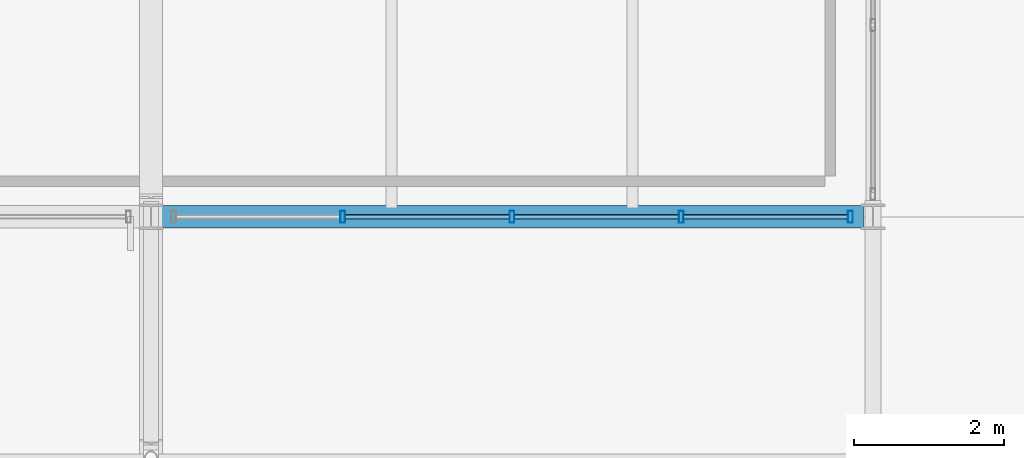
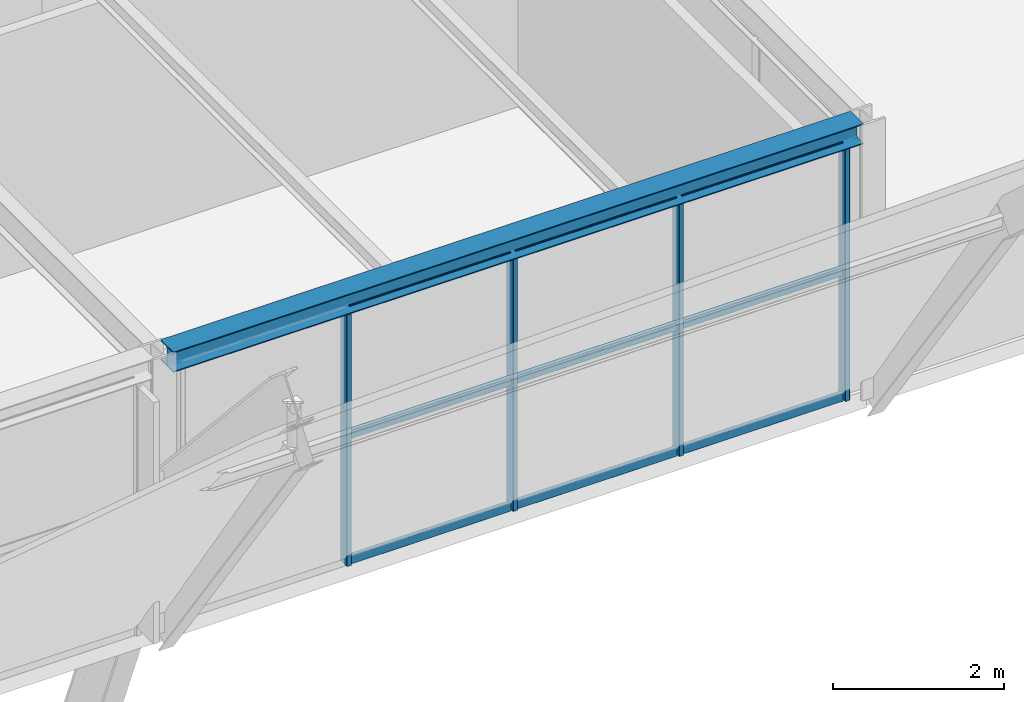
# One storey, part 84 of 126: 13 members, 1 beam, 1 element without a shape of its own.
"""IFC4 building model written with IfcOpenShell, lengths in metres."""

import ifcopenshell
import ifcopenshell.guid

model = None  # the IFC model being written
_history = None  # IfcOwnerHistory: only IFC2X3 demands one
_inside = {}  # id of a spatial element -> (the spatial element, [elements in it])
_under = {}  # id of a project, library or spatial element -> (it, [spatial elements below it])
_declared = {}  # id of a project -> (the project, [libraries it declares])
_typed = {}  # id of a type object -> (the type object, [elements of that type])
_made_of = {}  # id of a material, layer set ... -> (it, [elements and type objects made of it])


def new_model(schema):
    """Start an empty IFC model of exactly this schema.

    Asked for "IFC4X3", IfcOpenShell would pick the latest addendum, in which some entities
    have other attributes; the version numbers below select the first issue.
    IFC2X3 requires an IfcOwnerHistory on every rooted entity: one is made here for all.
    """
    global model, _history
    if schema == "IFC4X3":
        model = ifcopenshell.file(schema_version=(4, 3, 0, 0))
    else:
        model = ifcopenshell.file(schema=schema)
    _inside.clear()
    _under.clear()
    _declared.clear()
    _typed.clear()
    _made_of.clear()
    _history = None
    if model.schema == "IFC2X3":
        org = make("IfcOrganization", Name="unknown")
        user = make(
            "IfcPersonAndOrganization",
            ThePerson=make("IfcPerson", FamilyName="unknown"),
            TheOrganization=org,
        )
        app = make(
            "IfcApplication",
            ApplicationDeveloper=org,
            Version="unknown",
            ApplicationFullName="unknown",
            ApplicationIdentifier="unknown",
        )
        _history = make(
            "IfcOwnerHistory",
            OwningUser=user,
            OwningApplication=app,
            ChangeAction="ADDED",
            CreationDate=0,
        )
    return model


def make(cls, **values):
    """One entity of the class cls with the attributes given. An attribute that is None is left unset."""
    return model.create_entity(
        cls, **{name: value for name, value in values.items() if value is not None}
    )


def rooted(cls, **values):
    """An entity with a GlobalId (a new one), such as an element, a storey or a relation."""
    return make(cls, GlobalId=ifcopenshell.guid.new(), OwnerHistory=_history, **values)


def si_unit(unit_type, name, prefix=None):
    """IfcSIUnit, for example si_unit("LENGTHUNIT", "METRE", prefix="MILLI")."""
    return make("IfcSIUnit", UnitType=unit_type, Prefix=prefix, Name=name)


def assignment(units):
    """IfcUnitAssignment: the units of a project."""
    return None if units is None else make("IfcUnitAssignment", Units=units)


def point(xyz):
    """IfcCartesianPoint."""
    return None if xyz is None else make("IfcCartesianPoint", Coordinates=xyz)


def direction(xyz):
    """IfcDirection."""
    return None if xyz is None else make("IfcDirection", DirectionRatios=xyz)


def frame(location, z_axis=None, x_axis=None):
    """IfcAxis2Placement3D, a coordinate frame: its origin and axes. An axis left out is left unset."""
    return make(
        "IfcAxis2Placement3D",
        Location=point(location),
        Axis=direction(z_axis),
        RefDirection=direction(x_axis),
    )


def frame_2d(location, x_axis=None):
    """IfcAxis2Placement2D, a coordinate frame in the plane: its origin and x axis."""
    return make(
        "IfcAxis2Placement2D", Location=point(location), RefDirection=direction(x_axis)
    )


def origin():
    """The frame at (0, 0, 0) with its axes left unset."""
    return frame((0.0, 0.0, 0.0))


def origin_2d():
    """The frame at (0, 0) in the plane with its x axis left unset."""
    return frame_2d((0.0, 0.0))


def place(relative_to, where):
    """IfcLocalPlacement: puts the frame where relative to a parent placement (None: the world)."""
    return make(
        "IfcLocalPlacement", PlacementRelTo=relative_to, RelativePlacement=where
    )


def context(
    kind, dimensions, precision=None, world=None, true_north=None, identifier=None
):
    """IfcGeometricRepresentationContext, for example the 3D "Model" context."""
    return make(
        "IfcGeometricRepresentationContext",
        ContextIdentifier=identifier,
        ContextType=kind,
        CoordinateSpaceDimension=dimensions,
        Precision=precision,
        WorldCoordinateSystem=world,
        TrueNorth=true_north,
    )


def subcontext(parent, identifier, kind, view, scale=None):
    """IfcGeometricRepresentationSubContext, for example "Body" below "Model"."""
    return make(
        "IfcGeometricRepresentationSubContext",
        ContextIdentifier=identifier,
        ContextType=kind,
        ParentContext=parent,
        TargetScale=scale,
        TargetView=view,
    )


def project(units=None, contexts=None):
    """IfcProject with its units and contexts."""
    return rooted(
        "IfcProject",
        Name="project",
        RepresentationContexts=contexts,
        UnitsInContext=assignment(units),
    )


def spatial(cls, under=None, at=None, **own):
    """A site, building, storey or space (cls), placed at a placement, below another one or the project."""
    s = rooted(cls, ObjectPlacement=at, **own)
    if under is not None:
        _under.setdefault(under.id(), (under, []))[1].append(s)
    return s


def profile(cls, at=None, kind="AREA", **sizes):
    """A parametric profile (cls). Its sizes go by their IFC names, for example OverallWidth=200.0."""
    return make(cls, ProfileType=kind, Position=at, **sizes)


def hollow_rectangle(**sizes):
    """IfcRectangleHollowProfileDef."""
    return profile("IfcRectangleHollowProfileDef", **sizes)


def i_section(**sizes):
    """IfcIShapeProfileDef."""
    return profile("IfcIShapeProfileDef", **sizes)


def extrude(swept, where, along, depth):
    """IfcExtrudedAreaSolid: the profile swept, set in the frame where, extruded along a direction by depth."""
    return make(
        "IfcExtrudedAreaSolid",
        SweptArea=swept,
        Position=where,
        ExtrudedDirection=direction(along),
        Depth=depth,
    )


def shape(context_of_items, identifier, shape_type, items):
    """IfcShapeRepresentation: the items that make up one representation, for example the "Body"."""
    return make(
        "IfcShapeRepresentation",
        ContextOfItems=context_of_items,
        RepresentationIdentifier=identifier,
        RepresentationType=shape_type,
        Items=items,
    )


def material(Name=None, Category=None):
    """IfcMaterial."""
    return make("IfcMaterial", Name=Name, Category=Category)


def material_profile(
    of_material, cross_section, Name=None, Category=None, Priority=None
):
    """IfcMaterialProfile: a cross section and its material."""
    return make(
        "IfcMaterialProfile",
        Name=Name,
        Material=of_material,
        Profile=cross_section,
        Priority=Priority,
        Category=Category,
    )


def profile_set(profiles, Name=None, composite=None):
    """IfcMaterialProfileSet."""
    return make(
        "IfcMaterialProfileSet",
        Name=Name,
        MaterialProfiles=profiles,
        CompositeProfile=composite,
    )


def made_of(thing, what):
    """Note that an element or type object is made of a material, layer set ...; save() writes the relation."""
    if what is not None:
        _made_of.setdefault(what.id(), (what, []))[1].append(thing)
    return thing


def type_object(cls, material=None, **own):
    """A type object (cls), such as IfcWallType, which elements share."""
    return made_of(rooted(cls, **own), material)


def element(
    cls,
    number,
    at=None,
    inside=None,
    cuts=None,
    type_object=None,
    material=None,
    context=None,
    identifier="Body",
    shape_type=None,
    held_by="IfcProductDefinitionShape",
    body=None,
    shapes=None,
    **own,
):
    """One element of the class cls, such as IfcWall. Its Tag is "e" and its number.

    at: its placement. inside: the storey or other place that contains it. cuts: it is an
    opening in that element (IfcRelVoidsElement). A single representation is given by context,
    identifier, shape_type and body (its items); several are given by shapes. held_by: the class
    of the entity that holds the representations. save() writes the other relations.
    """
    e = rooted(cls, Tag="e%d" % number, ObjectPlacement=at, **own)
    if body is not None:
        shapes = [shape(context, identifier, shape_type, body)]
    if shapes is not None:
        e.Representation = make(held_by, Representations=shapes)
    if inside is not None:
        _inside.setdefault(inside.id(), (inside, []))[1].append(e)
    if cuts is not None:
        rooted(
            "IfcRelVoidsElement", RelatingBuildingElement=cuts, RelatedOpeningElement=e
        )
    if type_object is not None:
        _typed.setdefault(type_object.id(), (type_object, []))[1].append(e)
    return made_of(e, material)


def aggregate(whole, parts):
    """IfcRelAggregates: a whole, such as a stair, and the parts it consists of."""
    return rooted("IfcRelAggregates", RelatingObject=whole, RelatedObjects=parts)


def save(model, path):
    """Write the relations noted so far, then the file.

    IfcRelAggregates (storeys below a building ...), IfcRelContainedInSpatialStructure (elements
    in a storey), IfcRelDefinesByType, IfcRelAssociatesMaterial and IfcRelDeclares: one each for
    every whole, place, type object, material and project.
    """
    for whole, parts in _under.values():
        aggregate(whole, parts)
    for where, things in _inside.values():
        rooted(
            "IfcRelContainedInSpatialStructure",
            RelatedElements=things,
            RelatingStructure=where,
        )
    for kind, things in _typed.values():
        rooted("IfcRelDefinesByType", RelatedObjects=things, RelatingType=kind)
    for what, things in _made_of.values():
        rooted("IfcRelAssociatesMaterial", RelatedObjects=things, RelatingMaterial=what)
    for by, libraries in _declared.values():
        rooted("IfcRelDeclares", RelatingContext=by, RelatedDefinitions=libraries)
    model.write(path)


model = new_model("IFC4")

# Units and contexts
model_context = context("Model", 3, precision=1e-05, world=origin(), true_north=direction((0.0, 1.0)))
body_context = subcontext(model_context, "Body", "Model", "MODEL_VIEW")
ifc_project = project(units=[si_unit("LENGTHUNIT", "METRE"), si_unit("AREAUNIT", "SQUARE_METRE"), si_unit("VOLUMEUNIT", "CUBIC_METRE"), si_unit("PLANEANGLEUNIT", "RADIAN"), si_unit("MASSUNIT", "GRAM", prefix="KILO")], contexts=[model_context])

# Site, building, storey
site_placement = place(None, origin())
site = spatial("IfcSite", under=ifc_project, at=site_placement, CompositionType="ELEMENT")
building_placement = place(site_placement, origin())
building = spatial("IfcBuilding", under=site, at=building_placement, Name="Coralgate Yard Interchange", CompositionType="ELEMENT")
storey_placement = place(building_placement, frame((0.0, 0.0, 10.5)))
storey = spatial("IfcBuildingStorey", under=building, at=storey_placement, Name="L02", CompositionType="ELEMENT", Elevation=10.5)

# Beam
ifc_material_1 = material(Name="Structural steel S355J2", Category="steel")
ifc_material_profile_1 = material_profile(ifc_material_1, i_section(OverallWidth=0.300048828125, OverallDepth=0.2900390625, WebThickness=0.008544921875, FlangeThickness=0.013916015625, FilletRadius=0.027099609375, at=origin_2d()), Name="HEA 300")
ifc_profile_set_1 = profile_set([ifc_material_profile_1], Name="Structural steel S355J2")
beam_type = type_object("IfcBeamType", Name="BM-SP-2", PredefinedType="SPANDREL", material=ifc_profile_set_1)
beam_placement = place(storey_placement, frame((86.527099609375, 76.800048828125, 3.804931640625), z_axis=(1.0, 0.0, 0.0), x_axis=(0.0, 1.0, 0.0)))
element("IfcBeam", 1, at=beam_placement, inside=storey, type_object=beam_type, Name="L02 primary grid beam Y8 X9-10", PredefinedType="SPANDREL", context=body_context, shape_type="SweptSolid", body=[
    extrude(i_section(OverallWidth=0.300048828125, OverallDepth=0.2900390625, WebThickness=0.008544921875, FlangeThickness=0.013916015625, FilletRadius=0.027099609375, at=origin_2d()), origin(), (0.0, 0.0, 1.0), 9.345703125),
])

# Curtain wall, members
ifc_material_2 = material(Name="Anodised coastal aluminium and solar-control low-E glass", Category="aluminium")
curtain_wall_type = type_object("IfcCurtainWallType", Name="CW-CW-L02-A", PredefinedType="NOTDEFINED", material=ifc_material_2)
curtain_wall_placement = place(storey_placement, origin())
curtain_wall = element("IfcCurtainWall", 2, at=curtain_wall_placement, inside=storey, type_object=curtain_wall_type, Name="L02 unitised curtain wall CW-L02-S-09-08", PredefinedType="NOTDEFINED")
ifc_material_3 = material(Name="Anodised coastal aluminium 6063-T6", Category="aluminium")
ifc_material_profile_2 = material_profile(ifc_material_3, hollow_rectangle(XDim=0.06494140625, YDim=0.159912109375, WallThickness=0.00390625, InnerFilletRadius=0.00390625, OuterFilletRadius=0.008056640625, at=origin_2d()), Name="ALU 65x160x4")
ifc_profile_set_2 = profile_set([ifc_material_profile_2], Name="Anodised coastal aluminium 6063-T6")
member_type_1 = type_object("IfcMemberType", Name="MB-MUL-160", PredefinedType="MULLION", material=ifc_profile_set_2)
member_1_placement = place(storey_placement, frame((95.699951171875, 76.800048828125, 0.0), z_axis=(0.0, 0.0, 1.0), x_axis=(1.0, 0.0, 0.0)))
member_1 = element("IfcMember", 3, at=member_1_placement, type_object=member_type_1, Name="CW-L02-S-09-08 vertical mullion 1", PredefinedType="MULLION", context=body_context, shape_type="SweptSolid", body=[
    extrude(hollow_rectangle(XDim=0.06494140625, YDim=0.159912109375, WallThickness=0.00390625, InnerFilletRadius=0.00390625, OuterFilletRadius=0.008056640625, at=origin_2d()), origin(), (0.0, 0.0, 1.0), 3.659912109375),
])
member_2_placement = place(storey_placement, frame((93.449951171875, 76.800048828125, 0.0), z_axis=(0.0, 0.0, 1.0), x_axis=(1.0, 0.0, 0.0)))
member_2 = element("IfcMember", 4, at=member_2_placement, type_object=member_type_1, Name="CW-L02-S-09-08 vertical mullion 2", PredefinedType="MULLION", context=body_context, shape_type="SweptSolid", body=[
    extrude(hollow_rectangle(XDim=0.06494140625, YDim=0.159912109375, WallThickness=0.00390625, InnerFilletRadius=0.00390625, OuterFilletRadius=0.008056640625, at=origin_2d()), origin(), (0.0, 0.0, 1.0), 3.659912109375),
])
member_3_placement = place(storey_placement, frame((91.199951171875, 76.800048828125, 0.0), z_axis=(0.0, 0.0, 1.0), x_axis=(1.0, 0.0, 0.0)))
member_3 = element("IfcMember", 5, at=member_3_placement, type_object=member_type_1, Name="CW-L02-S-09-08 vertical mullion 3", PredefinedType="MULLION", context=body_context, shape_type="SweptSolid", body=[
    extrude(hollow_rectangle(XDim=0.06494140625, YDim=0.159912109375, WallThickness=0.00390625, InnerFilletRadius=0.00390625, OuterFilletRadius=0.008056640625, at=origin_2d()), origin(), (0.0, 0.0, 1.0), 3.659912109375),
])
member_4_placement = place(storey_placement, frame((88.949951171875, 76.800048828125, 0.0), z_axis=(0.0, 0.0, 1.0), x_axis=(1.0, 0.0, 0.0)))
member_4 = element("IfcMember", 6, at=member_4_placement, type_object=member_type_1, Name="CW-L02-S-09-08 vertical mullion 4", PredefinedType="MULLION", context=body_context, shape_type="SweptSolid", body=[
    extrude(hollow_rectangle(XDim=0.06494140625, YDim=0.159912109375, WallThickness=0.00390625, InnerFilletRadius=0.00390625, OuterFilletRadius=0.008056640625, at=origin_2d()), origin(), (0.0, 0.0, 1.0), 3.659912109375),
])
ifc_material_profile_3 = material_profile(ifc_material_3, hollow_rectangle(XDim=0.06005859375, YDim=0.1201171875, WallThickness=0.00341796875, InnerFilletRadius=0.00341796875, OuterFilletRadius=0.007080078125, at=origin_2d()), Name="ALU 60x120x3.5")
ifc_profile_set_3 = profile_set([ifc_material_profile_3], Name="Anodised coastal aluminium 6063-T6")
member_type_2 = type_object("IfcMemberType", Name="MB-TRN-120", PredefinedType="USERDEFINED", material=ifc_profile_set_3)
member_5_placement = place(storey_placement, frame((95.669921875, 76.800048828125, 0.034912109375), z_axis=(-1.0, 0.0, 0.0), x_axis=(0.0, -1.0, 0.0)))
member_5 = element("IfcMember", 7, at=member_5_placement, type_object=member_type_2, Name="CW-L02-S-09-08 horizontal transom 1-1", ObjectType="TRANSOM", PredefinedType="USERDEFINED", context=body_context, shape_type="SweptSolid", body=[
    extrude(hollow_rectangle(XDim=0.06005859375, YDim=0.1201171875, WallThickness=0.00341796875, InnerFilletRadius=0.00341796875, OuterFilletRadius=0.007080078125, at=origin_2d()), origin(), (0.0, 0.0, 1.0), 2.18994140625),
])
member_6_placement = place(storey_placement, frame((95.669921875, 76.800048828125, 1.830078125), z_axis=(-1.0, 0.0, 0.0), x_axis=(0.0, -1.0, 0.0)))
member_6 = element("IfcMember", 8, at=member_6_placement, type_object=member_type_2, Name="CW-L02-S-09-08 horizontal transom 1-2", ObjectType="TRANSOM", PredefinedType="USERDEFINED", context=body_context, shape_type="SweptSolid", body=[
    extrude(hollow_rectangle(XDim=0.06005859375, YDim=0.1201171875, WallThickness=0.00341796875, InnerFilletRadius=0.00341796875, OuterFilletRadius=0.007080078125, at=origin_2d()), origin(), (0.0, 0.0, 1.0), 2.18994140625),
])
member_7_placement = place(storey_placement, frame((95.669921875, 76.800048828125, 3.625), z_axis=(-1.0, 0.0, 0.0), x_axis=(0.0, -1.0, 0.0)))
member_7 = element("IfcMember", 9, at=member_7_placement, type_object=member_type_2, Name="CW-L02-S-09-08 horizontal transom 1-3", ObjectType="TRANSOM", PredefinedType="USERDEFINED", context=body_context, shape_type="SweptSolid", body=[
    extrude(hollow_rectangle(XDim=0.06005859375, YDim=0.1201171875, WallThickness=0.00341796875, InnerFilletRadius=0.00341796875, OuterFilletRadius=0.007080078125, at=origin_2d()), origin(), (0.0, 0.0, 1.0), 2.18994140625),
])
member_8_placement = place(storey_placement, frame((93.419921875, 76.800048828125, 0.034912109375), z_axis=(-1.0, 0.0, 0.0), x_axis=(0.0, -1.0, 0.0)))
member_8 = element("IfcMember", 10, at=member_8_placement, type_object=member_type_2, Name="CW-L02-S-09-08 horizontal transom 2-1", ObjectType="TRANSOM", PredefinedType="USERDEFINED", context=body_context, shape_type="SweptSolid", body=[
    extrude(hollow_rectangle(XDim=0.06005859375, YDim=0.1201171875, WallThickness=0.00341796875, InnerFilletRadius=0.00341796875, OuterFilletRadius=0.007080078125, at=origin_2d()), origin(), (0.0, 0.0, 1.0), 2.18994140625),
])
member_9_placement = place(storey_placement, frame((93.419921875, 76.800048828125, 1.830078125), z_axis=(-1.0, 0.0, 0.0), x_axis=(0.0, -1.0, 0.0)))
member_9 = element("IfcMember", 11, at=member_9_placement, type_object=member_type_2, Name="CW-L02-S-09-08 horizontal transom 2-2", ObjectType="TRANSOM", PredefinedType="USERDEFINED", context=body_context, shape_type="SweptSolid", body=[
    extrude(hollow_rectangle(XDim=0.06005859375, YDim=0.1201171875, WallThickness=0.00341796875, InnerFilletRadius=0.00341796875, OuterFilletRadius=0.007080078125, at=origin_2d()), origin(), (0.0, 0.0, 1.0), 2.18994140625),
])
member_10_placement = place(storey_placement, frame((93.419921875, 76.800048828125, 3.625), z_axis=(-1.0, 0.0, 0.0), x_axis=(0.0, -1.0, 0.0)))
member_10 = element("IfcMember", 12, at=member_10_placement, type_object=member_type_2, Name="CW-L02-S-09-08 horizontal transom 2-3", ObjectType="TRANSOM", PredefinedType="USERDEFINED", context=body_context, shape_type="SweptSolid", body=[
    extrude(hollow_rectangle(XDim=0.06005859375, YDim=0.1201171875, WallThickness=0.00341796875, InnerFilletRadius=0.00341796875, OuterFilletRadius=0.007080078125, at=origin_2d()), origin(), (0.0, 0.0, 1.0), 2.18994140625),
])
member_11_placement = place(storey_placement, frame((91.169921875, 76.800048828125, 0.034912109375), z_axis=(-1.0, 0.0, 0.0), x_axis=(0.0, -1.0, 0.0)))
member_11 = element("IfcMember", 13, at=member_11_placement, type_object=member_type_2, Name="CW-L02-S-09-08 horizontal transom 3-1", ObjectType="TRANSOM", PredefinedType="USERDEFINED", context=body_context, shape_type="SweptSolid", body=[
    extrude(hollow_rectangle(XDim=0.06005859375, YDim=0.1201171875, WallThickness=0.00341796875, InnerFilletRadius=0.00341796875, OuterFilletRadius=0.007080078125, at=origin_2d()), origin(), (0.0, 0.0, 1.0), 2.18994140625),
])
member_12_placement = place(storey_placement, frame((91.169921875, 76.800048828125, 1.830078125), z_axis=(-1.0, 0.0, 0.0), x_axis=(0.0, -1.0, 0.0)))
member_12 = element("IfcMember", 14, at=member_12_placement, type_object=member_type_2, Name="CW-L02-S-09-08 horizontal transom 3-2", ObjectType="TRANSOM", PredefinedType="USERDEFINED", context=body_context, shape_type="SweptSolid", body=[
    extrude(hollow_rectangle(XDim=0.06005859375, YDim=0.1201171875, WallThickness=0.00341796875, InnerFilletRadius=0.00341796875, OuterFilletRadius=0.007080078125, at=origin_2d()), origin(), (0.0, 0.0, 1.0), 2.18994140625),
])
member_13_placement = place(storey_placement, frame((91.169921875, 76.800048828125, 3.625), z_axis=(-1.0, 0.0, 0.0), x_axis=(0.0, -1.0, 0.0)))
member_13 = element("IfcMember", 15, at=member_13_placement, type_object=member_type_2, Name="CW-L02-S-09-08 horizontal transom 3-3", ObjectType="TRANSOM", PredefinedType="USERDEFINED", context=body_context, shape_type="SweptSolid", body=[
    extrude(hollow_rectangle(XDim=0.06005859375, YDim=0.1201171875, WallThickness=0.00341796875, InnerFilletRadius=0.00341796875, OuterFilletRadius=0.007080078125, at=origin_2d()), origin(), (0.0, 0.0, 1.0), 2.18994140625),
])
aggregate(curtain_wall, [member_1, member_2, member_3, member_4, member_5, member_6, member_7, member_8, member_9, member_10, member_11, member_12, member_13])

save(model, "model.ifc")
